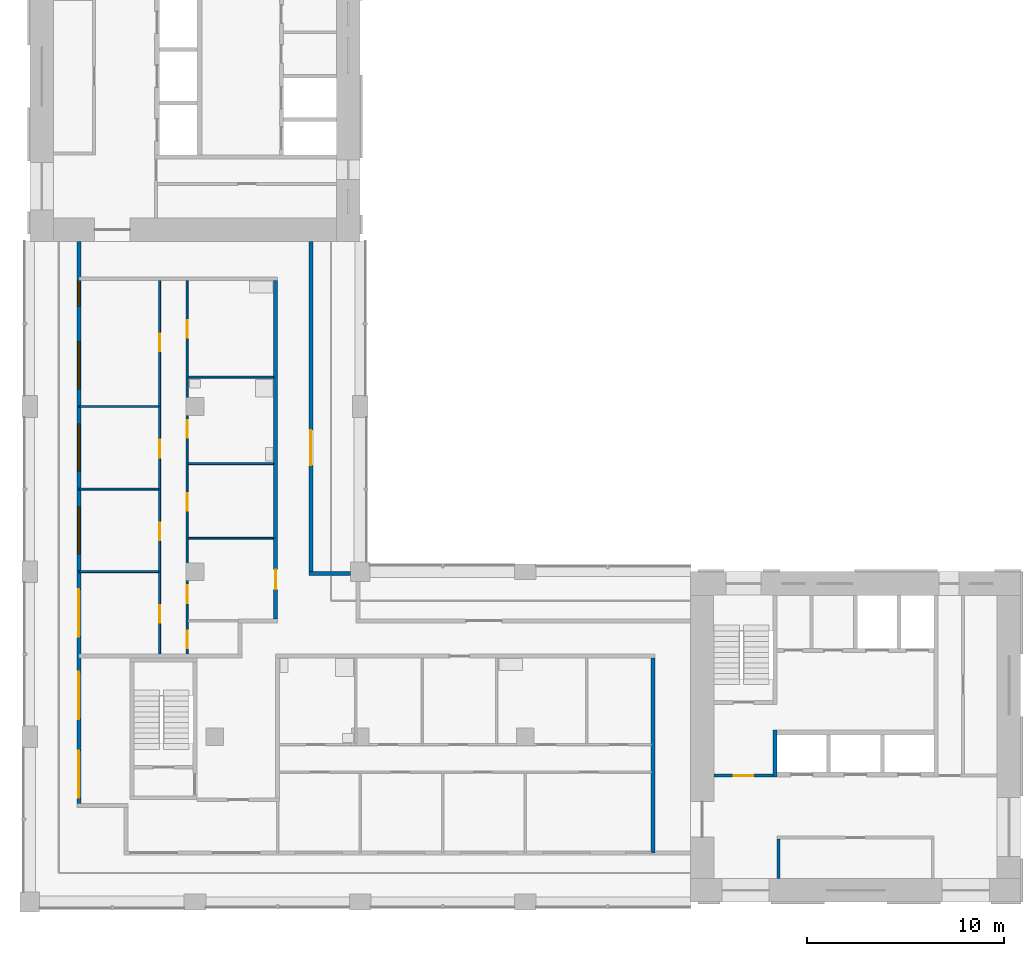
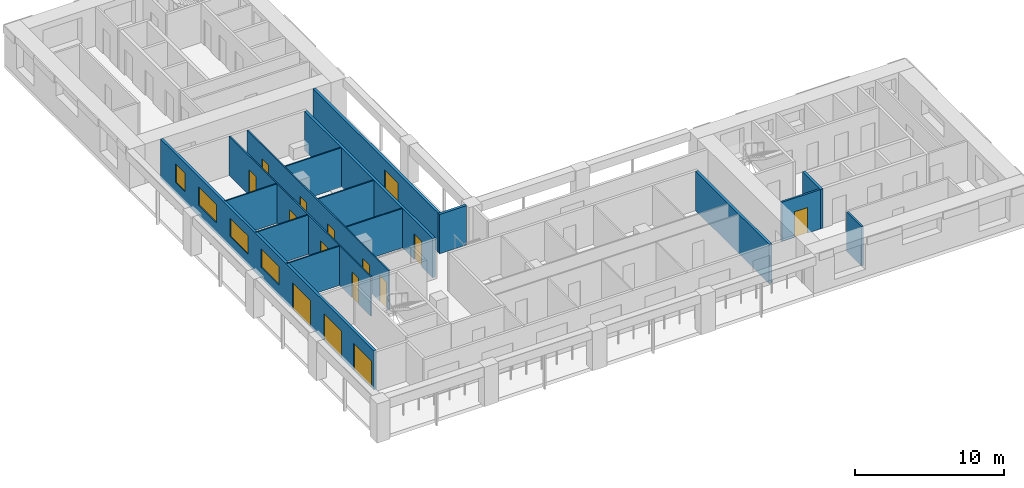
# One storey, part 3 of 9: 16 walls, 15 doors, 4 windows, 19 openings.
"""IFC4 building model written with IfcOpenShell, lengths in metres."""

import ifcopenshell
import ifcopenshell.guid

model = None  # the IFC model being written
_history = None  # IfcOwnerHistory: only IFC2X3 demands one
_inside = {}  # id of a spatial element -> (the spatial element, [elements in it])
_under = {}  # id of a project, library or spatial element -> (it, [spatial elements below it])
_declared = {}  # id of a project -> (the project, [libraries it declares])
_typed = {}  # id of a type object -> (the type object, [elements of that type])
_made_of = {}  # id of a material, layer set ... -> (it, [elements and type objects made of it])


def new_model(schema):
    """Start an empty IFC model of exactly this schema.

    Asked for "IFC4X3", IfcOpenShell would pick the latest addendum, in which some entities
    have other attributes; the version numbers below select the first issue.
    IFC2X3 requires an IfcOwnerHistory on every rooted entity: one is made here for all.
    """
    global model, _history
    if schema == "IFC4X3":
        model = ifcopenshell.file(schema_version=(4, 3, 0, 0))
    else:
        model = ifcopenshell.file(schema=schema)
    _inside.clear()
    _under.clear()
    _declared.clear()
    _typed.clear()
    _made_of.clear()
    _history = None
    if model.schema == "IFC2X3":
        org = make("IfcOrganization", Name="unknown")
        user = make(
            "IfcPersonAndOrganization",
            ThePerson=make("IfcPerson", FamilyName="unknown"),
            TheOrganization=org,
        )
        app = make(
            "IfcApplication",
            ApplicationDeveloper=org,
            Version="unknown",
            ApplicationFullName="unknown",
            ApplicationIdentifier="unknown",
        )
        _history = make(
            "IfcOwnerHistory",
            OwningUser=user,
            OwningApplication=app,
            ChangeAction="ADDED",
            CreationDate=0,
        )
    return model


def make(cls, **values):
    """One entity of the class cls with the attributes given. An attribute that is None is left unset."""
    return model.create_entity(
        cls, **{name: value for name, value in values.items() if value is not None}
    )


def rooted(cls, **values):
    """An entity with a GlobalId (a new one), such as an element, a storey or a relation."""
    return make(cls, GlobalId=ifcopenshell.guid.new(), OwnerHistory=_history, **values)


def si_unit(unit_type, name, prefix=None):
    """IfcSIUnit, for example si_unit("LENGTHUNIT", "METRE", prefix="MILLI")."""
    return make("IfcSIUnit", UnitType=unit_type, Prefix=prefix, Name=name)


def assignment(units):
    """IfcUnitAssignment: the units of a project."""
    return None if units is None else make("IfcUnitAssignment", Units=units)


def point(xyz):
    """IfcCartesianPoint."""
    return None if xyz is None else make("IfcCartesianPoint", Coordinates=xyz)


def direction(xyz):
    """IfcDirection."""
    return None if xyz is None else make("IfcDirection", DirectionRatios=xyz)


def frame(location, z_axis=None, x_axis=None):
    """IfcAxis2Placement3D, a coordinate frame: its origin and axes. An axis left out is left unset."""
    return make(
        "IfcAxis2Placement3D",
        Location=point(location),
        Axis=direction(z_axis),
        RefDirection=direction(x_axis),
    )


def frame_2d(location, x_axis=None):
    """IfcAxis2Placement2D, a coordinate frame in the plane: its origin and x axis."""
    return make(
        "IfcAxis2Placement2D", Location=point(location), RefDirection=direction(x_axis)
    )


def origin():
    """The frame at (0, 0, 0) with its axes left unset."""
    return frame((0.0, 0.0, 0.0))


def place(relative_to, where):
    """IfcLocalPlacement: puts the frame where relative to a parent placement (None: the world)."""
    return make(
        "IfcLocalPlacement", PlacementRelTo=relative_to, RelativePlacement=where
    )


def context(
    kind, dimensions, precision=None, world=None, true_north=None, identifier=None
):
    """IfcGeometricRepresentationContext, for example the 3D "Model" context."""
    return make(
        "IfcGeometricRepresentationContext",
        ContextIdentifier=identifier,
        ContextType=kind,
        CoordinateSpaceDimension=dimensions,
        Precision=precision,
        WorldCoordinateSystem=world,
        TrueNorth=true_north,
    )


def subcontext(parent, identifier, kind, view, scale=None):
    """IfcGeometricRepresentationSubContext, for example "Body" below "Model"."""
    return make(
        "IfcGeometricRepresentationSubContext",
        ContextIdentifier=identifier,
        ContextType=kind,
        ParentContext=parent,
        TargetScale=scale,
        TargetView=view,
    )


def project(units=None, contexts=None):
    """IfcProject with its units and contexts."""
    return rooted(
        "IfcProject",
        Name="project",
        RepresentationContexts=contexts,
        UnitsInContext=assignment(units),
    )


def spatial(cls, under=None, at=None, **own):
    """A site, building, storey or space (cls), placed at a placement, below another one or the project."""
    s = rooted(cls, ObjectPlacement=at, **own)
    if under is not None:
        _under.setdefault(under.id(), (under, []))[1].append(s)
    return s


def profile(cls, at=None, kind="AREA", **sizes):
    """A parametric profile (cls). Its sizes go by their IFC names, for example OverallWidth=200.0."""
    return make(cls, ProfileType=kind, Position=at, **sizes)


def rectangle(**sizes):
    """IfcRectangleProfileDef."""
    return profile("IfcRectangleProfileDef", **sizes)


def extrude(swept, where, along, depth):
    """IfcExtrudedAreaSolid: the profile swept, set in the frame where, extruded along a direction by depth."""
    return make(
        "IfcExtrudedAreaSolid",
        SweptArea=swept,
        Position=where,
        ExtrudedDirection=direction(along),
        Depth=depth,
    )


def shape(context_of_items, identifier, shape_type, items):
    """IfcShapeRepresentation: the items that make up one representation, for example the "Body"."""
    return make(
        "IfcShapeRepresentation",
        ContextOfItems=context_of_items,
        RepresentationIdentifier=identifier,
        RepresentationType=shape_type,
        Items=items,
    )


def material(Name=None, Category=None):
    """IfcMaterial."""
    return make("IfcMaterial", Name=Name, Category=Category)


def layer(
    of_material, thickness, ventilated=None, Name=None, Category=None, Priority=None
):
    """IfcMaterialLayer: one layer of a wall or slab, of a material (None: an air gap)."""
    return make(
        "IfcMaterialLayer",
        Material=of_material,
        LayerThickness=thickness,
        IsVentilated=ventilated,
        Name=Name,
        Category=Category,
        Priority=Priority,
    )


def layer_set(layers, Name=None):
    """IfcMaterialLayerSet."""
    return make("IfcMaterialLayerSet", MaterialLayers=layers, LayerSetName=Name)


def made_of(thing, what):
    """Note that an element or type object is made of a material, layer set ...; save() writes the relation."""
    if what is not None:
        _made_of.setdefault(what.id(), (what, []))[1].append(thing)
    return thing


def type_object(cls, material=None, **own):
    """A type object (cls), such as IfcWallType, which elements share."""
    return made_of(rooted(cls, **own), material)


def element(
    cls,
    number,
    at=None,
    inside=None,
    cuts=None,
    type_object=None,
    material=None,
    context=None,
    identifier="Body",
    shape_type=None,
    held_by="IfcProductDefinitionShape",
    body=None,
    shapes=None,
    **own,
):
    """One element of the class cls, such as IfcWall. Its Tag is "e" and its number.

    at: its placement. inside: the storey or other place that contains it. cuts: it is an
    opening in that element (IfcRelVoidsElement). A single representation is given by context,
    identifier, shape_type and body (its items); several are given by shapes. held_by: the class
    of the entity that holds the representations. save() writes the other relations.
    """
    e = rooted(cls, Tag="e%d" % number, ObjectPlacement=at, **own)
    if body is not None:
        shapes = [shape(context, identifier, shape_type, body)]
    if shapes is not None:
        e.Representation = make(held_by, Representations=shapes)
    if inside is not None:
        _inside.setdefault(inside.id(), (inside, []))[1].append(e)
    if cuts is not None:
        rooted(
            "IfcRelVoidsElement", RelatingBuildingElement=cuts, RelatedOpeningElement=e
        )
    if type_object is not None:
        _typed.setdefault(type_object.id(), (type_object, []))[1].append(e)
    return made_of(e, material)


def fill(opening, filler):
    """IfcRelFillsElement: the door or window that sits in an opening."""
    return rooted(
        "IfcRelFillsElement",
        RelatingOpeningElement=opening,
        RelatedBuildingElement=filler,
    )


def aggregate(whole, parts):
    """IfcRelAggregates: a whole, such as a stair, and the parts it consists of."""
    return rooted("IfcRelAggregates", RelatingObject=whole, RelatedObjects=parts)


def save(model, path):
    """Write the relations noted so far, then the file.

    IfcRelAggregates (storeys below a building ...), IfcRelContainedInSpatialStructure (elements
    in a storey), IfcRelDefinesByType, IfcRelAssociatesMaterial and IfcRelDeclares: one each for
    every whole, place, type object, material and project.
    """
    for whole, parts in _under.values():
        aggregate(whole, parts)
    for where, things in _inside.values():
        rooted(
            "IfcRelContainedInSpatialStructure",
            RelatedElements=things,
            RelatingStructure=where,
        )
    for kind, things in _typed.values():
        rooted("IfcRelDefinesByType", RelatedObjects=things, RelatingType=kind)
    for what, things in _made_of.values():
        rooted("IfcRelAssociatesMaterial", RelatedObjects=things, RelatingMaterial=what)
    for by, libraries in _declared.values():
        rooted("IfcRelDeclares", RelatingContext=by, RelatedDefinitions=libraries)
    model.write(path)


model = new_model("IFC4")

# Units and contexts
model_context = context("Model", 3, precision=1e-05, world=origin(), true_north=direction((0.0, 1.0)))
body_context = subcontext(model_context, "Body", "Model", "MODEL_VIEW")
ifc_project = project(units=[si_unit("LENGTHUNIT", "METRE"), si_unit("AREAUNIT", "SQUARE_METRE"), si_unit("VOLUMEUNIT", "CUBIC_METRE"), si_unit("PLANEANGLEUNIT", "RADIAN"), si_unit("MASSUNIT", "GRAM", prefix="KILO")], contexts=[model_context])

# Site, building, storey
site_placement = place(None, origin())
site = spatial("IfcSite", under=ifc_project, at=site_placement, CompositionType="ELEMENT")
building_placement = place(site_placement, origin())
building = spatial("IfcBuilding", under=site, at=building_placement, Name="Vermilion Gate Residences", CompositionType="ELEMENT")
storey_placement = place(building_placement, frame((0.0, 0.0, 249.199951171875)))
storey = spatial("IfcBuildingStorey", under=building, at=storey_placement, Name="L65", CompositionType="ELEMENT", Elevation=249.199951171875)

# Wall
ifc_material_1 = material(Name="Masonry blockwork", Category="masonry")
ifc_layer_1 = layer(ifc_material_1, 0.14990234375)
ifc_layer_set_1 = layer_set([ifc_layer_1], Name="BLOCKWORK PARTITION 150 EI 120")
wall_type_1 = type_object("IfcWallType", Name="BLOCKWORK PARTITION 150 EI 120", PredefinedType="PARTITIONING", material=ifc_layer_set_1)
wall_1_placement = place(storey_placement, frame((46.47509765625, 9.60009765625, 0.0), z_axis=(0.0, 0.0, 1.0), x_axis=(0.0, 1.0, 0.0)))
element("IfcWall", 1, at=wall_1_placement, inside=storey, type_object=wall_type_1, Name="Core room partition A65-RW-W", PredefinedType="PARTITIONING", context=body_context, shape_type="SweptSolid", body=[
    extrude(rectangle(XDim=2.0, YDim=0.14990234375, at=frame_2d((1.0, 0.0))), origin(), (0.0, 0.0, 1.0), 3.219970703125),
])

# Wall, opening, door
wall_2_placement = place(storey_placement, frame((43.199951171875, 14.824951171875, 0.0), z_axis=(0.0, 0.0, 1.0), x_axis=(1.0, 0.0, 0.0)))
wall_2 = element("IfcWall", 2, at=wall_2_placement, inside=storey, type_object=wall_type_1, Name="Core room partition A65-VW-S", PredefinedType="PARTITIONING", context=body_context, shape_type="SweptSolid", body=[
    extrude(rectangle(XDim=3.0, YDim=0.14990234375, at=frame_2d((1.5, 0.0))), origin(), (0.0, 0.0, 1.0), 3.219970703125),
])
opening_1_placement = place(wall_2_placement, frame((1.0, 0.0, 0.0)))
opening_1 = element("IfcOpeningElement", 3, at=opening_1_placement, cuts=wall_2, Name="Opening DK65010", PredefinedType="OPENING", context=body_context, shape_type="SweptSolid", body=[
    extrude(rectangle(XDim=1.0, YDim=2.10009765625, at=frame_2d((0.5, 1.050048828125))), frame((0.0, 0.0849609375, 0.0), z_axis=(0.0, -1.0, 0.0), x_axis=(1.0, 0.0, 0.0)), (0.0, 0.0, 1.0), 0.169921875),
])
ifc_material_2 = material(Name="Steel", Category="steel")
door_type_1 = type_object("IfcDoorType", Name="FIRE DOOR FD60 1000 X 2100", OperationType="SINGLE_SWING_LEFT", PredefinedType="DOOR", material=ifc_material_2)
door_1_placement = place(opening_1_placement, frame((1.0, 0.0, 0.0), z_axis=(0.0, 0.0, 1.0), x_axis=(-1.0, 0.0, 0.0)))
door_1 = element("IfcDoor", 4, at=door_1_placement, inside=storey, type_object=door_type_1, Name="Stair vestibule door A65", OperationType="SINGLE_SWING_RIGHT", OverallHeight=2.10009765625, OverallWidth=1.0, PredefinedType="DOOR", context=body_context, shape_type="SweptSolid", body=[
    extrude(rectangle(XDim=1.0, YDim=2.10009765625, at=frame_2d((0.5, 1.050048828125))), frame((0.0, 0.02490234375, 0.0), z_axis=(0.0, -1.0, 0.0), x_axis=(1.0, 0.0, 0.0)), (0.0, 0.0, 1.0), 0.050048828125),
])
fill(opening_1, door_1)

# Wall, openings, doors, windows
ifc_material_3 = material(Name="Insulated steel stud wall with terracotta rainscreen", Category="masonry")
ifc_layer_2 = layer(ifc_material_3, 0.199951171875)
ifc_layer_set_2 = layer_set([ifc_layer_2], Name="EXTERNAL WALL 200 TERRACOTTA RAINSCREEN")
wall_type_2 = type_object("IfcWallType", Name="EXTERNAL WALL 200 TERRACOTTA RAINSCREEN", PredefinedType="SOLIDWALL", material=ifc_layer_set_2)
wall_3_placement = place(storey_placement, frame((10.89990234375, 42.0, 0.0), z_axis=(0.0, 0.0, 1.0), x_axis=(0.0, -1.0, 0.0)))
wall_3 = element("IfcWall", 5, at=wall_3_placement, inside=storey, type_object=wall_type_2, Name="External wall", PredefinedType="SOLIDWALL", context=body_context, shape_type="SweptSolid", body=[
    extrude(rectangle(XDim=28.60009765625, YDim=0.199951171875, at=frame_2d((14.300048828125, 0.0))), origin(), (0.0, 0.0, 1.0), 3.219970703125),
])
opening_2_placement = place(wall_3_placement, frame((25.89990234375, 0.0, 0.0)))
opening_2 = element("IfcOpeningElement", 6, at=opening_2_placement, cuts=wall_3, Name="Opening DE65001", PredefinedType="OPENING", context=body_context, shape_type="SweptSolid", body=[
    extrude(rectangle(XDim=2.39990234375, YDim=2.199951171875, at=frame_2d((1.199951171875, 1.10009765625))), frame((0.0, 0.10986328125, 0.0), z_axis=(0.0, -1.0, 0.0), x_axis=(1.0, 0.0, 0.0)), (0.0, 0.0, 1.0), 0.219970703125),
])
opening_3_placement = place(wall_3_placement, frame((21.89990234375, 0.0, 0.0)))
opening_3 = element("IfcOpeningElement", 7, at=opening_3_placement, cuts=wall_3, Name="Opening DE65002", PredefinedType="OPENING", context=body_context, shape_type="SweptSolid", body=[
    extrude(rectangle(XDim=2.39990234375, YDim=2.199951171875, at=frame_2d((1.199951171875, 1.10009765625))), frame((0.0, 0.10986328125, 0.0), z_axis=(0.0, -1.0, 0.0), x_axis=(1.0, 0.0, 0.0)), (0.0, 0.0, 1.0), 0.219970703125),
])
opening_4_placement = place(wall_3_placement, frame((17.699951171875, 0.0, 0.0)))
opening_4 = element("IfcOpeningElement", 8, at=opening_4_placement, cuts=wall_3, Name="Opening DE65003", PredefinedType="OPENING", context=body_context, shape_type="SweptSolid", body=[
    extrude(rectangle(XDim=2.39990234375, YDim=2.199951171875, at=frame_2d((1.199951171875, 1.10009765625))), frame((0.0, 0.10986328125, 0.0), z_axis=(0.0, -1.0, 0.0), x_axis=(1.0, 0.0, 0.0)), (0.0, 0.0, 1.0), 0.219970703125),
])
opening_5_placement = place(wall_3_placement, frame((13.5, 0.0, 0.89990234375)))
opening_5 = element("IfcOpeningElement", 9, at=opening_5_placement, cuts=wall_3, Name="Opening WE65004", PredefinedType="OPENING", context=body_context, shape_type="SweptSolid", body=[
    extrude(rectangle(XDim=2.39990234375, YDim=1.5, at=frame_2d((1.199951171875, 0.75))), frame((0.0, 0.10986328125, 0.0), z_axis=(0.0, -1.0, 0.0), x_axis=(1.0, 0.0, 0.0)), (0.0, 0.0, 1.0), 0.219970703125),
])
opening_6_placement = place(wall_3_placement, frame((9.300048828125, 0.0, 0.89990234375)))
opening_6 = element("IfcOpeningElement", 10, at=opening_6_placement, cuts=wall_3, Name="Opening WE65005", PredefinedType="OPENING", context=body_context, shape_type="SweptSolid", body=[
    extrude(rectangle(XDim=2.39990234375, YDim=1.5, at=frame_2d((1.199951171875, 0.75))), frame((0.0, 0.10986328125, 0.0), z_axis=(0.0, -1.0, 0.0), x_axis=(1.0, 0.0, 0.0)), (0.0, 0.0, 1.0), 0.219970703125),
])
opening_7_placement = place(wall_3_placement, frame((5.10009765625, 0.0, 0.89990234375)))
opening_7 = element("IfcOpeningElement", 11, at=opening_7_placement, cuts=wall_3, Name="Opening WE65006", PredefinedType="OPENING", context=body_context, shape_type="SweptSolid", body=[
    extrude(rectangle(XDim=2.39990234375, YDim=1.5, at=frame_2d((1.199951171875, 0.75))), frame((0.0, 0.10986328125, 0.0), z_axis=(0.0, -1.0, 0.0), x_axis=(1.0, 0.0, 0.0)), (0.0, 0.0, 1.0), 0.219970703125),
])
opening_8_placement = place(wall_3_placement, frame((2.0, 0.0, 0.89990234375)))
opening_8 = element("IfcOpeningElement", 12, at=opening_8_placement, cuts=wall_3, Name="Opening WE65007", PredefinedType="OPENING", context=body_context, shape_type="SweptSolid", body=[
    extrude(rectangle(XDim=1.300048828125, YDim=1.5, at=frame_2d((0.64990234375, 0.75))), frame((0.0, 0.10986328125, 0.0), z_axis=(0.0, -1.0, 0.0), x_axis=(1.0, 0.0, 0.0)), (0.0, 0.0, 1.0), 0.219970703125),
])
ifc_material_4 = material(Name="Aluminium and clear glass", Category="aluminium")
door_type_2 = type_object("IfcDoorType", Name="SLIDING GLAZED DOOR 2400 X 2200", OperationType="DOUBLE_DOOR_SLIDING", PredefinedType="DOOR", material=ifc_material_4)
door_2_placement = place(opening_2_placement, origin())
door_2 = element("IfcDoor", 13, at=door_2_placement, inside=storey, type_object=door_type_2, Name="Loggia sliding door", OperationType="DOUBLE_DOOR_SLIDING", OverallHeight=2.199951171875, OverallWidth=2.39990234375, PredefinedType="DOOR", context=body_context, shape_type="SweptSolid", body=[
    extrude(rectangle(XDim=2.39990234375, YDim=2.199951171875, at=frame_2d((1.199951171875, 1.10009765625))), frame((0.0, 0.02490234375, 0.0), z_axis=(0.0, -1.0, 0.0), x_axis=(1.0, 0.0, 0.0)), (0.0, 0.0, 1.0), 0.050048828125),
])
fill(opening_2, door_2)
door_3_placement = place(opening_3_placement, origin())
door_3 = element("IfcDoor", 14, at=door_3_placement, inside=storey, type_object=door_type_2, Name="Loggia sliding door", OperationType="DOUBLE_DOOR_SLIDING", OverallHeight=2.199951171875, OverallWidth=2.39990234375, PredefinedType="DOOR", context=body_context, shape_type="SweptSolid", body=[
    extrude(rectangle(XDim=2.39990234375, YDim=2.199951171875, at=frame_2d((1.199951171875, 1.10009765625))), frame((0.0, 0.02490234375, 0.0), z_axis=(0.0, -1.0, 0.0), x_axis=(1.0, 0.0, 0.0)), (0.0, 0.0, 1.0), 0.050048828125),
])
fill(opening_3, door_3)
door_4_placement = place(opening_4_placement, origin())
door_4 = element("IfcDoor", 15, at=door_4_placement, inside=storey, type_object=door_type_2, Name="Loggia sliding door", OperationType="DOUBLE_DOOR_SLIDING", OverallHeight=2.199951171875, OverallWidth=2.39990234375, PredefinedType="DOOR", context=body_context, shape_type="SweptSolid", body=[
    extrude(rectangle(XDim=2.39990234375, YDim=2.199951171875, at=frame_2d((1.199951171875, 1.10009765625))), frame((0.0, 0.02490234375, 0.0), z_axis=(0.0, -1.0, 0.0), x_axis=(1.0, 0.0, 0.0)), (0.0, 0.0, 1.0), 0.050048828125),
])
fill(opening_4, door_4)
ifc_material_5 = material(Name="Aluminium and clear glass", Category="aluminium")
window_type_1 = type_object("IfcWindowType", Name="WINDOW 1300 X 1500", PartitioningType="SINGLE_PANEL", PredefinedType="WINDOW", material=ifc_material_5)
window_1_placement = place(opening_8_placement, origin())
window_1 = element("IfcWindow", 16, at=window_1_placement, inside=storey, type_object=window_type_1, Name="Window", OverallHeight=1.5, OverallWidth=1.300048828125, PartitioningType="SINGLE_PANEL", PredefinedType="WINDOW", context=body_context, shape_type="SweptSolid", body=[
    extrude(rectangle(XDim=1.300048828125, YDim=1.5, at=frame_2d((0.64990234375, 0.75))), frame((0.0, 0.030029296875, 0.0), z_axis=(0.0, -1.0, 0.0), x_axis=(1.0, 0.0, 0.0)), (0.0, 0.0, 1.0), 0.06005859375),
])
fill(opening_8, window_1)
ifc_material_6 = material(Name="Aluminium and clear glass", Category="aluminium")
window_type_2 = type_object("IfcWindowType", Name="WINDOW 2400 X 1500", PartitioningType="SINGLE_PANEL", PredefinedType="WINDOW", material=ifc_material_6)
window_2_placement = place(opening_5_placement, origin())
window_2 = element("IfcWindow", 17, at=window_2_placement, inside=storey, type_object=window_type_2, Name="Window", OverallHeight=1.5, OverallWidth=2.39990234375, PartitioningType="SINGLE_PANEL", PredefinedType="WINDOW", context=body_context, shape_type="SweptSolid", body=[
    extrude(rectangle(XDim=2.39990234375, YDim=1.5, at=frame_2d((1.199951171875, 0.75))), frame((0.0, 0.030029296875, 0.0), z_axis=(0.0, -1.0, 0.0), x_axis=(1.0, 0.0, 0.0)), (0.0, 0.0, 1.0), 0.06005859375),
])
fill(opening_5, window_2)
window_3_placement = place(opening_6_placement, origin())
window_3 = element("IfcWindow", 18, at=window_3_placement, inside=storey, type_object=window_type_2, Name="Window", OverallHeight=1.5, OverallWidth=2.39990234375, PartitioningType="SINGLE_PANEL", PredefinedType="WINDOW", context=body_context, shape_type="SweptSolid", body=[
    extrude(rectangle(XDim=2.39990234375, YDim=1.5, at=frame_2d((1.199951171875, 0.75))), frame((0.0, 0.030029296875, 0.0), z_axis=(0.0, -1.0, 0.0), x_axis=(1.0, 0.0, 0.0)), (0.0, 0.0, 1.0), 0.06005859375),
])
fill(opening_6, window_3)
window_4_placement = place(opening_7_placement, origin())
window_4 = element("IfcWindow", 19, at=window_4_placement, inside=storey, type_object=window_type_2, Name="Window", OverallHeight=1.5, OverallWidth=2.39990234375, PartitioningType="SINGLE_PANEL", PredefinedType="WINDOW", context=body_context, shape_type="SweptSolid", body=[
    extrude(rectangle(XDim=2.39990234375, YDim=1.5, at=frame_2d((1.199951171875, 0.75))), frame((0.0, 0.030029296875, 0.0), z_axis=(0.0, -1.0, 0.0), x_axis=(1.0, 0.0, 0.0)), (0.0, 0.0, 1.0), 0.06005859375),
])
fill(opening_7, window_4)

# Wall
wall_4_placement = place(storey_placement, frame((24.699951171875, 25.10009765625, 0.0), z_axis=(0.0, 0.0, 1.0), x_axis=(-1.0, 0.0, 0.0)))
element("IfcWall", 20, at=wall_4_placement, inside=storey, type_object=wall_type_2, Name="External wall", PredefinedType="SOLIDWALL", context=body_context, shape_type="SweptSolid", body=[
    extrude(rectangle(XDim=2.099853515625, YDim=0.199951171875, at=frame_2d((1.0498046875, 0.0))), origin(), (0.0, 0.0, 1.0), 3.219970703125),
])

# Wall, opening, door
wall_5_placement = place(storey_placement, frame((22.699951171875, 25.199951171875, 0.0), z_axis=(0.0, 0.0, 1.0), x_axis=(0.0, 1.0, 0.0)))
wall_5 = element("IfcWall", 21, at=wall_5_placement, inside=storey, type_object=wall_type_2, Name="External wall", PredefinedType="SOLIDWALL", context=body_context, shape_type="SweptSolid", body=[
    extrude(rectangle(XDim=16.800048828125, YDim=0.199951171875, at=frame_2d((8.39990234375, 0.0))), origin(), (0.0, 0.0, 1.0), 3.219970703125),
])
opening_9_placement = place(wall_5_placement, frame((5.39990234375, 0.0, 0.0)))
opening_9 = element("IfcOpeningElement", 22, at=opening_9_placement, cuts=wall_5, Name="Opening DE65016", PredefinedType="OPENING", context=body_context, shape_type="SweptSolid", body=[
    extrude(rectangle(XDim=1.800048828125, YDim=2.39990234375, at=frame_2d((0.89990234375, 1.199951171875))), frame((0.0, 0.10986328125, 0.0), z_axis=(0.0, -1.0, 0.0), x_axis=(1.0, 0.0, 0.0)), (0.0, 0.0, 1.0), 0.219970703125),
])
ifc_material_7 = material(Name="Aluminium and clear glass", Category="aluminium")
door_type_3 = type_object("IfcDoorType", Name="GLAZED EXTERNAL DOOR 1800 X 2400", OperationType="DOUBLE_DOOR_SINGLE_SWING", PredefinedType="DOOR", material=ifc_material_7)
door_5_placement = place(opening_9_placement, frame((1.800048828125, 0.0, 0.0), z_axis=(0.0, 0.0, 1.0), x_axis=(-1.0, 0.0, 0.0)))
door_5 = element("IfcDoor", 23, at=door_5_placement, inside=storey, type_object=door_type_3, Name="Gallery door", OperationType="DOUBLE_DOOR_SINGLE_SWING", OverallHeight=2.39990234375, OverallWidth=1.800048828125, PredefinedType="DOOR", context=body_context, shape_type="SweptSolid", body=[
    extrude(rectangle(XDim=1.800048828125, YDim=2.39990234375, at=frame_2d((0.89990234375, 1.199951171875))), frame((0.0, 0.02490234375, 0.0), z_axis=(0.0, -1.0, 0.0), x_axis=(1.0, 0.0, 0.0)), (0.0, 0.0, 1.0), 0.050048828125),
])
fill(opening_9, door_5)

# Walls
ifc_material_8 = material(Name="Plasterboard on steel studs", Category="steel")
ifc_layer_3 = layer(ifc_material_8, 0.10009765625)
ifc_layer_set_3 = layer_set([ifc_layer_3], Name="PARTITION 100")
wall_type_3 = type_object("IfcWallType", Name="PARTITION 100", PredefinedType="PARTITIONING", material=ifc_layer_set_3)
wall_6_placement = place(storey_placement, frame((10.89990234375, 25.199951171875, 0.0), z_axis=(0.0, 0.0, 1.0), x_axis=(1.0, 0.0, 0.0)))
element("IfcWall", 24, at=wall_6_placement, inside=storey, type_object=wall_type_3, Name="Partition", PredefinedType="PARTITIONING", context=body_context, shape_type="SweptSolid", body=[
    extrude(rectangle(XDim=4.050048828125, YDim=0.10009765625, at=frame_2d((2.02490234375, 0.0))), origin(), (0.0, 0.0, 1.0), 3.219970703125),
])
wall_7_placement = place(storey_placement, frame((16.449951171875, 26.89990234375, 0.0), z_axis=(0.0, 0.0, 1.0), x_axis=(1.0, 0.0, 0.0)))
element("IfcWall", 25, at=wall_7_placement, inside=storey, type_object=wall_type_3, Name="Partition", PredefinedType="PARTITIONING", context=body_context, shape_type="SweptSolid", body=[
    extrude(rectangle(XDim=4.35009765625, YDim=0.10009765625, at=frame_2d((2.175048828125, 0.0))), origin(), (0.0, 0.0, 1.0), 3.219970703125),
])
wall_8_placement = place(storey_placement, frame((10.89990234375, 29.39990234375, 0.0), z_axis=(0.0, 0.0, 1.0), x_axis=(1.0, 0.0, 0.0)))
element("IfcWall", 26, at=wall_8_placement, inside=storey, type_object=wall_type_3, Name="Partition", PredefinedType="PARTITIONING", context=body_context, shape_type="SweptSolid", body=[
    extrude(rectangle(XDim=4.050048828125, YDim=0.10009765625, at=frame_2d((2.02490234375, 0.0))), origin(), (0.0, 0.0, 1.0), 3.219970703125),
])
wall_9_placement = place(storey_placement, frame((16.449951171875, 30.699951171875, 0.0), z_axis=(0.0, 0.0, 1.0), x_axis=(1.0, 0.0, 0.0)))
element("IfcWall", 27, at=wall_9_placement, inside=storey, type_object=wall_type_3, Name="Partition", PredefinedType="PARTITIONING", context=body_context, shape_type="SweptSolid", body=[
    extrude(rectangle(XDim=4.35009765625, YDim=0.10009765625, at=frame_2d((2.175048828125, 0.0))), origin(), (0.0, 0.0, 1.0), 3.219970703125),
])
wall_10_placement = place(storey_placement, frame((10.89990234375, 33.60009765625, 0.0), z_axis=(0.0, 0.0, 1.0), x_axis=(1.0, 0.0, 0.0)))
element("IfcWall", 28, at=wall_10_placement, inside=storey, type_object=wall_type_3, Name="Partition", PredefinedType="PARTITIONING", context=body_context, shape_type="SweptSolid", body=[
    extrude(rectangle(XDim=4.050048828125, YDim=0.10009765625, at=frame_2d((2.02490234375, 0.0))), origin(), (0.0, 0.0, 1.0), 3.219970703125),
])
wall_11_placement = place(storey_placement, frame((16.449951171875, 35.10009765625, 0.0), z_axis=(0.0, 0.0, 1.0), x_axis=(1.0, 0.0, 0.0)))
element("IfcWall", 29, at=wall_11_placement, inside=storey, type_object=wall_type_3, Name="Partition", PredefinedType="PARTITIONING", context=body_context, shape_type="SweptSolid", body=[
    extrude(rectangle(XDim=4.35009765625, YDim=0.10009765625, at=frame_2d((2.175048828125, 0.0))), origin(), (0.0, 0.0, 1.0), 3.219970703125),
])

# Wall, openings, doors
wall_12_placement = place(storey_placement, frame((15.0, 21.0, 0.0), z_axis=(0.0, 0.0, 1.0), x_axis=(0.0, 1.0, 0.0)))
wall_12 = element("IfcWall", 30, at=wall_12_placement, inside=storey, type_object=wall_type_3, Name="Partition", PredefinedType="PARTITIONING", context=body_context, shape_type="SweptSolid", body=[
    extrude(rectangle(XDim=19.0, YDim=0.10009765625, at=frame_2d((9.5, 0.0))), origin(), (0.0, 0.0, 1.0), 3.219970703125),
])
opening_10_placement = place(wall_12_placement, frame((1.60009765625, 0.0, 0.0)))
opening_10 = element("IfcOpeningElement", 31, at=opening_10_placement, cuts=wall_12, Name="Opening DA64012", PredefinedType="OPENING", context=body_context, shape_type="SweptSolid", body=[
    extrude(rectangle(XDim=0.89990234375, YDim=2.10009765625, at=frame_2d((0.449951171875, 1.050048828125))), frame((0.0, 0.06005859375, 0.0), z_axis=(0.0, -1.0, 0.0), x_axis=(1.0, 0.0, 0.0)), (0.0, 0.0, 1.0), 0.1201171875),
])
opening_11_placement = place(wall_12_placement, frame((5.800048828125, 0.0, 0.0)))
opening_11 = element("IfcOpeningElement", 32, at=opening_11_placement, cuts=wall_12, Name="Opening DA64013", PredefinedType="OPENING", context=body_context, shape_type="SweptSolid", body=[
    extrude(rectangle(XDim=0.89990234375, YDim=2.10009765625, at=frame_2d((0.449951171875, 1.050048828125))), frame((0.0, 0.06005859375, 0.0), z_axis=(0.0, -1.0, 0.0), x_axis=(1.0, 0.0, 0.0)), (0.0, 0.0, 1.0), 0.1201171875),
])
opening_12_placement = place(wall_12_placement, frame((10.0, 0.0, 0.0)))
opening_12 = element("IfcOpeningElement", 33, at=opening_12_placement, cuts=wall_12, Name="Opening DA64014", PredefinedType="OPENING", context=body_context, shape_type="SweptSolid", body=[
    extrude(rectangle(XDim=0.89990234375, YDim=2.10009765625, at=frame_2d((0.449951171875, 1.050048828125))), frame((0.0, 0.06005859375, 0.0), z_axis=(0.0, -1.0, 0.0), x_axis=(1.0, 0.0, 0.0)), (0.0, 0.0, 1.0), 0.1201171875),
])
opening_13_placement = place(wall_12_placement, frame((15.39990234375, 0.0, 0.0)))
opening_13 = element("IfcOpeningElement", 34, at=opening_13_placement, cuts=wall_12, Name="Opening DA64015", PredefinedType="OPENING", context=body_context, shape_type="SweptSolid", body=[
    extrude(rectangle(XDim=0.89990234375, YDim=2.10009765625, at=frame_2d((0.449951171875, 1.050048828125))), frame((0.0, 0.06005859375, 0.0), z_axis=(0.0, -1.0, 0.0), x_axis=(1.0, 0.0, 0.0)), (0.0, 0.0, 1.0), 0.1201171875),
])
ifc_material_9 = material(Name="Timber", Category="wood")
door_type_4 = type_object("IfcDoorType", Name="INTERIOR DOOR 900 X 2100", OperationType="SINGLE_SWING_LEFT", PredefinedType="DOOR", material=ifc_material_9)
door_6_placement = place(opening_10_placement, origin())
door_6 = element("IfcDoor", 35, at=door_6_placement, inside=storey, type_object=door_type_4, Name="Interior door", OperationType="SINGLE_SWING_LEFT", OverallHeight=2.10009765625, OverallWidth=0.89990234375, PredefinedType="DOOR", context=body_context, shape_type="SweptSolid", body=[
    extrude(rectangle(XDim=0.89990234375, YDim=2.10009765625, at=frame_2d((0.449951171875, 1.050048828125))), frame((0.0, 0.02490234375, 0.0), z_axis=(0.0, -1.0, 0.0), x_axis=(1.0, 0.0, 0.0)), (0.0, 0.0, 1.0), 0.050048828125),
])
fill(opening_10, door_6)
door_7_placement = place(opening_11_placement, origin())
door_7 = element("IfcDoor", 36, at=door_7_placement, inside=storey, type_object=door_type_4, Name="Interior door", OperationType="SINGLE_SWING_LEFT", OverallHeight=2.10009765625, OverallWidth=0.89990234375, PredefinedType="DOOR", context=body_context, shape_type="SweptSolid", body=[
    extrude(rectangle(XDim=0.89990234375, YDim=2.10009765625, at=frame_2d((0.449951171875, 1.050048828125))), frame((0.0, 0.02490234375, 0.0), z_axis=(0.0, -1.0, 0.0), x_axis=(1.0, 0.0, 0.0)), (0.0, 0.0, 1.0), 0.050048828125),
])
fill(opening_11, door_7)
door_8_placement = place(opening_12_placement, origin())
door_8 = element("IfcDoor", 37, at=door_8_placement, inside=storey, type_object=door_type_4, Name="Interior door", OperationType="SINGLE_SWING_LEFT", OverallHeight=2.10009765625, OverallWidth=0.89990234375, PredefinedType="DOOR", context=body_context, shape_type="SweptSolid", body=[
    extrude(rectangle(XDim=0.89990234375, YDim=2.10009765625, at=frame_2d((0.449951171875, 1.050048828125))), frame((0.0, 0.02490234375, 0.0), z_axis=(0.0, -1.0, 0.0), x_axis=(1.0, 0.0, 0.0)), (0.0, 0.0, 1.0), 0.050048828125),
])
fill(opening_12, door_8)
door_9_placement = place(opening_13_placement, origin())
door_9 = element("IfcDoor", 38, at=door_9_placement, inside=storey, type_object=door_type_4, Name="Interior door", OperationType="SINGLE_SWING_RIGHT", OverallHeight=2.10009765625, OverallWidth=0.89990234375, PredefinedType="DOOR", context=body_context, shape_type="SweptSolid", body=[
    extrude(rectangle(XDim=0.89990234375, YDim=2.10009765625, at=frame_2d((0.449951171875, 1.050048828125))), frame((0.0, 0.02490234375, 0.0), z_axis=(0.0, -1.0, 0.0), x_axis=(1.0, 0.0, 0.0)), (0.0, 0.0, 1.0), 0.050048828125),
])
fill(opening_13, door_9)

wall_13_placement = place(storey_placement, frame((16.39990234375, 21.0, 0.0), z_axis=(0.0, 0.0, 1.0), x_axis=(0.0, 1.0, 0.0)))
wall_13 = element("IfcWall", 39, at=wall_13_placement, inside=storey, type_object=wall_type_3, Name="Partition", PredefinedType="PARTITIONING", context=body_context, shape_type="SweptSolid", body=[
    extrude(rectangle(XDim=19.0, YDim=0.10009765625, at=frame_2d((9.5, 0.0))), origin(), (0.0, 0.0, 1.0), 3.219970703125),
])
opening_14_placement = place(wall_13_placement, frame((2.60009765625, 0.0, 0.0)))
opening_14 = element("IfcOpeningElement", 40, at=opening_14_placement, cuts=wall_13, Name="Opening DA64016", PredefinedType="OPENING", context=body_context, shape_type="SweptSolid", body=[
    extrude(rectangle(XDim=0.89990234375, YDim=2.10009765625, at=frame_2d((0.449951171875, 1.050048828125))), frame((0.0, 0.06005859375, 0.0), z_axis=(0.0, -1.0, 0.0), x_axis=(1.0, 0.0, 0.0)), (0.0, 0.0, 1.0), 0.1201171875),
])
opening_15_placement = place(wall_13_placement, frame((0.300048828125, 0.0, 0.0)))
opening_15 = element("IfcOpeningElement", 41, at=opening_15_placement, cuts=wall_13, Name="Opening DA64017", PredefinedType="OPENING", context=body_context, shape_type="SweptSolid", body=[
    extrude(rectangle(XDim=0.89990234375, YDim=2.10009765625, at=frame_2d((0.449951171875, 1.050048828125))), frame((0.0, 0.06005859375, 0.0), z_axis=(0.0, -1.0, 0.0), x_axis=(1.0, 0.0, 0.0)), (0.0, 0.0, 1.0), 0.1201171875),
])
opening_16_placement = place(wall_13_placement, frame((7.300048828125, 0.0, 0.0)))
opening_16 = element("IfcOpeningElement", 42, at=opening_16_placement, cuts=wall_13, Name="Opening DA64018", PredefinedType="OPENING", context=body_context, shape_type="SweptSolid", body=[
    extrude(rectangle(XDim=0.89990234375, YDim=2.10009765625, at=frame_2d((0.449951171875, 1.050048828125))), frame((0.0, 0.06005859375, 0.0), z_axis=(0.0, -1.0, 0.0), x_axis=(1.0, 0.0, 0.0)), (0.0, 0.0, 1.0), 0.1201171875),
])
opening_17_placement = place(wall_13_placement, frame((11.0, 0.0, 0.0)))
opening_17 = element("IfcOpeningElement", 43, at=opening_17_placement, cuts=wall_13, Name="Opening DA64019", PredefinedType="OPENING", context=body_context, shape_type="SweptSolid", body=[
    extrude(rectangle(XDim=0.89990234375, YDim=2.10009765625, at=frame_2d((0.449951171875, 1.050048828125))), frame((0.0, 0.06005859375, 0.0), z_axis=(0.0, -1.0, 0.0), x_axis=(1.0, 0.0, 0.0)), (0.0, 0.0, 1.0), 0.1201171875),
])
opening_18_placement = place(wall_13_placement, frame((16.10009765625, 0.0, 0.0)))
opening_18 = element("IfcOpeningElement", 44, at=opening_18_placement, cuts=wall_13, Name="Opening DA64020", PredefinedType="OPENING", context=body_context, shape_type="SweptSolid", body=[
    extrude(rectangle(XDim=0.89990234375, YDim=2.10009765625, at=frame_2d((0.449951171875, 1.050048828125))), frame((0.0, 0.06005859375, 0.0), z_axis=(0.0, -1.0, 0.0), x_axis=(1.0, 0.0, 0.0)), (0.0, 0.0, 1.0), 0.1201171875),
])
door_10_placement = place(opening_14_placement, frame((0.89990234375, 0.0, 0.0), z_axis=(0.0, 0.0, 1.0), x_axis=(-1.0, 0.0, 0.0)))
door_10 = element("IfcDoor", 45, at=door_10_placement, inside=storey, type_object=door_type_4, Name="Interior door", OperationType="SINGLE_SWING_LEFT", OverallHeight=2.10009765625, OverallWidth=0.89990234375, PredefinedType="DOOR", context=body_context, shape_type="SweptSolid", body=[
    extrude(rectangle(XDim=0.89990234375, YDim=2.10009765625, at=frame_2d((0.449951171875, 1.050048828125))), frame((0.0, 0.02490234375, 0.0), z_axis=(0.0, -1.0, 0.0), x_axis=(1.0, 0.0, 0.0)), (0.0, 0.0, 1.0), 0.050048828125),
])
fill(opening_14, door_10)
door_11_placement = place(opening_15_placement, frame((0.89990234375, 0.0, 0.0), z_axis=(0.0, 0.0, 1.0), x_axis=(-1.0, 0.0, 0.0)))
door_11 = element("IfcDoor", 46, at=door_11_placement, inside=storey, type_object=door_type_4, Name="Interior door", OperationType="SINGLE_SWING_RIGHT", OverallHeight=2.10009765625, OverallWidth=0.89990234375, PredefinedType="DOOR", context=body_context, shape_type="SweptSolid", body=[
    extrude(rectangle(XDim=0.89990234375, YDim=2.10009765625, at=frame_2d((0.449951171875, 1.050048828125))), frame((0.0, 0.02490234375, 0.0), z_axis=(0.0, -1.0, 0.0), x_axis=(1.0, 0.0, 0.0)), (0.0, 0.0, 1.0), 0.050048828125),
])
fill(opening_15, door_11)
door_12_placement = place(opening_16_placement, frame((0.89990234375, 0.0, 0.0), z_axis=(0.0, 0.0, 1.0), x_axis=(-1.0, 0.0, 0.0)))
door_12 = element("IfcDoor", 47, at=door_12_placement, inside=storey, type_object=door_type_4, Name="Interior door", OperationType="SINGLE_SWING_RIGHT", OverallHeight=2.10009765625, OverallWidth=0.89990234375, PredefinedType="DOOR", context=body_context, shape_type="SweptSolid", body=[
    extrude(rectangle(XDim=0.89990234375, YDim=2.10009765625, at=frame_2d((0.449951171875, 1.050048828125))), frame((0.0, 0.02490234375, 0.0), z_axis=(0.0, -1.0, 0.0), x_axis=(1.0, 0.0, 0.0)), (0.0, 0.0, 1.0), 0.050048828125),
])
fill(opening_16, door_12)
door_13_placement = place(opening_17_placement, frame((0.89990234375, 0.0, 0.0), z_axis=(0.0, 0.0, 1.0), x_axis=(-1.0, 0.0, 0.0)))
door_13 = element("IfcDoor", 48, at=door_13_placement, inside=storey, type_object=door_type_4, Name="Interior door", OperationType="SINGLE_SWING_LEFT", OverallHeight=2.10009765625, OverallWidth=0.89990234375, PredefinedType="DOOR", context=body_context, shape_type="SweptSolid", body=[
    extrude(rectangle(XDim=0.89990234375, YDim=2.10009765625, at=frame_2d((0.449951171875, 1.050048828125))), frame((0.0, 0.02490234375, 0.0), z_axis=(0.0, -1.0, 0.0), x_axis=(1.0, 0.0, 0.0)), (0.0, 0.0, 1.0), 0.050048828125),
])
fill(opening_17, door_13)
door_14_placement = place(opening_18_placement, frame((0.89990234375, 0.0, 0.0), z_axis=(0.0, 0.0, 1.0), x_axis=(-1.0, 0.0, 0.0)))
door_14 = element("IfcDoor", 49, at=door_14_placement, inside=storey, type_object=door_type_4, Name="Interior door", OperationType="SINGLE_SWING_RIGHT", OverallHeight=2.10009765625, OverallWidth=0.89990234375, PredefinedType="DOOR", context=body_context, shape_type="SweptSolid", body=[
    extrude(rectangle(XDim=0.89990234375, YDim=2.10009765625, at=frame_2d((0.449951171875, 1.050048828125))), frame((0.0, 0.02490234375, 0.0), z_axis=(0.0, -1.0, 0.0), x_axis=(1.0, 0.0, 0.0)), (0.0, 0.0, 1.0), 0.050048828125),
])
fill(opening_18, door_14)

# Wall, opening, door
ifc_material_10 = material(Name="Fire-rated plasterboard on steel studs", Category="steel")
ifc_layer_4 = layer(ifc_material_10, 0.199951171875)
ifc_layer_set_4 = layer_set([ifc_layer_4], Name="PARTY WALL 200 EI 120")
wall_type_4 = type_object("IfcWallType", Name="PARTY WALL 200 EI 120", PredefinedType="PARTITIONING", material=ifc_layer_set_4)
wall_14_placement = place(storey_placement, frame((20.89990234375, 22.800048828125, 0.0), z_axis=(0.0, 0.0, 1.0), x_axis=(0.0, 1.0, 0.0)))
wall_14 = element("IfcWall", 50, at=wall_14_placement, inside=storey, type_object=wall_type_4, Name="Party and corridor wall", PredefinedType="PARTITIONING", context=body_context, shape_type="SweptSolid", body=[
    extrude(rectangle(XDim=17.199951171875, YDim=0.199951171875, at=frame_2d((8.60009765625, 0.0))), origin(), (0.0, 0.0, 1.0), 3.219970703125),
])
opening_19_placement = place(wall_14_placement, frame((1.5, 0.0, 0.0)))
opening_19 = element("IfcOpeningElement", 51, at=opening_19_placement, cuts=wall_14, Name="Opening DA64021", PredefinedType="OPENING", context=body_context, shape_type="SweptSolid", body=[
    extrude(rectangle(XDim=1.0, YDim=2.10009765625, at=frame_2d((0.5, 1.050048828125))), frame((0.0, 0.10986328125, 0.0), z_axis=(0.0, -1.0, 0.0), x_axis=(1.0, 0.0, 0.0)), (0.0, 0.0, 1.0), 0.219970703125),
])
ifc_material_11 = material(Name="Steel", Category="steel")
door_type_5 = type_object("IfcDoorType", Name="ENTRANCE DOOR 1000 X 2100 FD30", OperationType="SINGLE_SWING_LEFT", PredefinedType="DOOR", material=ifc_material_11)
door_15_placement = place(opening_19_placement, origin())
door_15 = element("IfcDoor", 52, at=door_15_placement, inside=storey, type_object=door_type_5, Name="Entrance door", OperationType="SINGLE_SWING_LEFT", OverallHeight=2.10009765625, OverallWidth=1.0, PredefinedType="DOOR", context=body_context, shape_type="SweptSolid", body=[
    extrude(rectangle(XDim=1.0, YDim=2.10009765625, at=frame_2d((0.5, 1.050048828125))), frame((0.0, 0.02490234375, 0.0), z_axis=(0.0, -1.0, 0.0), x_axis=(1.0, 0.0, 0.0)), (0.0, 0.0, 1.0), 0.050048828125),
])
fill(opening_19, door_15)

# Walls
wall_15_placement = place(storey_placement, frame((40.10009765625, 10.89990234375, 0.0), z_axis=(0.0, 0.0, 1.0), x_axis=(0.0, 1.0, 0.0)))
element("IfcWall", 53, at=wall_15_placement, inside=storey, type_object=wall_type_4, Name="Party and corridor wall", PredefinedType="PARTITIONING", context=body_context, shape_type="SweptSolid", body=[
    extrude(rectangle(XDim=9.900146484375, YDim=0.199951171875, at=frame_2d((4.9501953125, 0.0))), origin(), (0.0, 0.0, 1.0), 3.219970703125),
])
ifc_material_12 = material(Name="Concrete C60", Category="concrete")
ifc_layer_5 = layer(ifc_material_12, 0.199951171875)
ifc_layer_set_5 = layer_set([ifc_layer_5], Name="RC CORE INTERNAL WALL 200 C60")
wall_type_5 = type_object("IfcWallType", Name="RC CORE INTERNAL WALL 200 C60", PredefinedType="SHEAR", material=ifc_layer_set_5)
wall_16_placement = place(storey_placement, frame((46.300048828125, 14.75, 0.0), z_axis=(0.0, 0.0, 1.0), x_axis=(0.0, 1.0, 0.0)))
element("IfcWall", 54, at=wall_16_placement, inside=storey, type_object=wall_type_5, Name="Core internal wall A65-WDIV1", PredefinedType="SHEAR", context=body_context, shape_type="SweptSolid", body=[
    extrude(rectangle(XDim=2.39990234375, YDim=0.199951171875, at=frame_2d((1.199951171875, 0.0))), origin(), (0.0, 0.0, 1.0), 3.219970703125),
])

save(model, "model.ifc")
